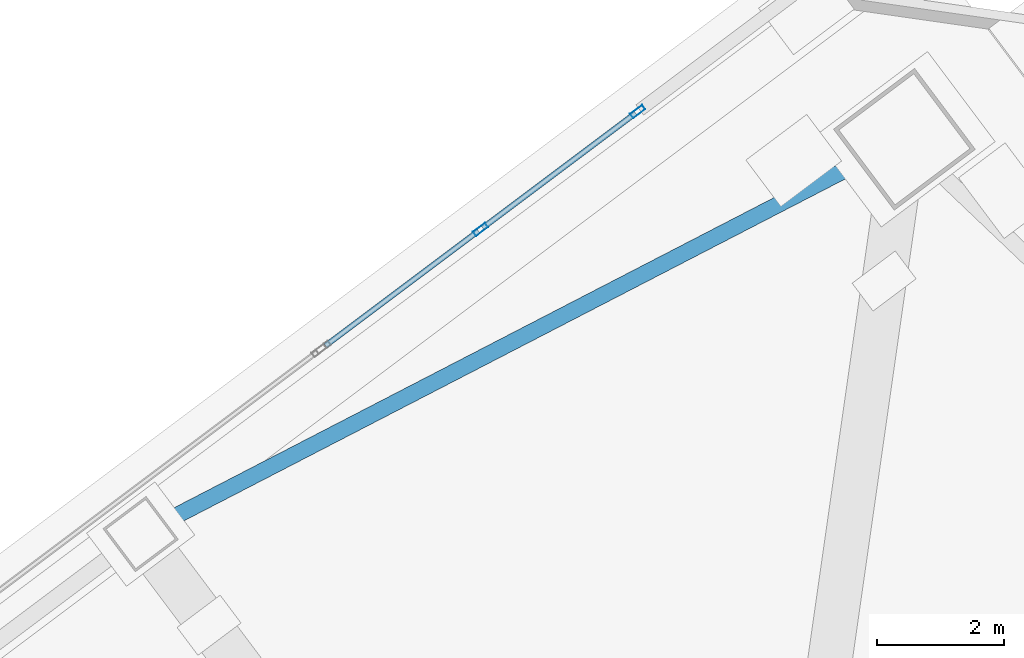
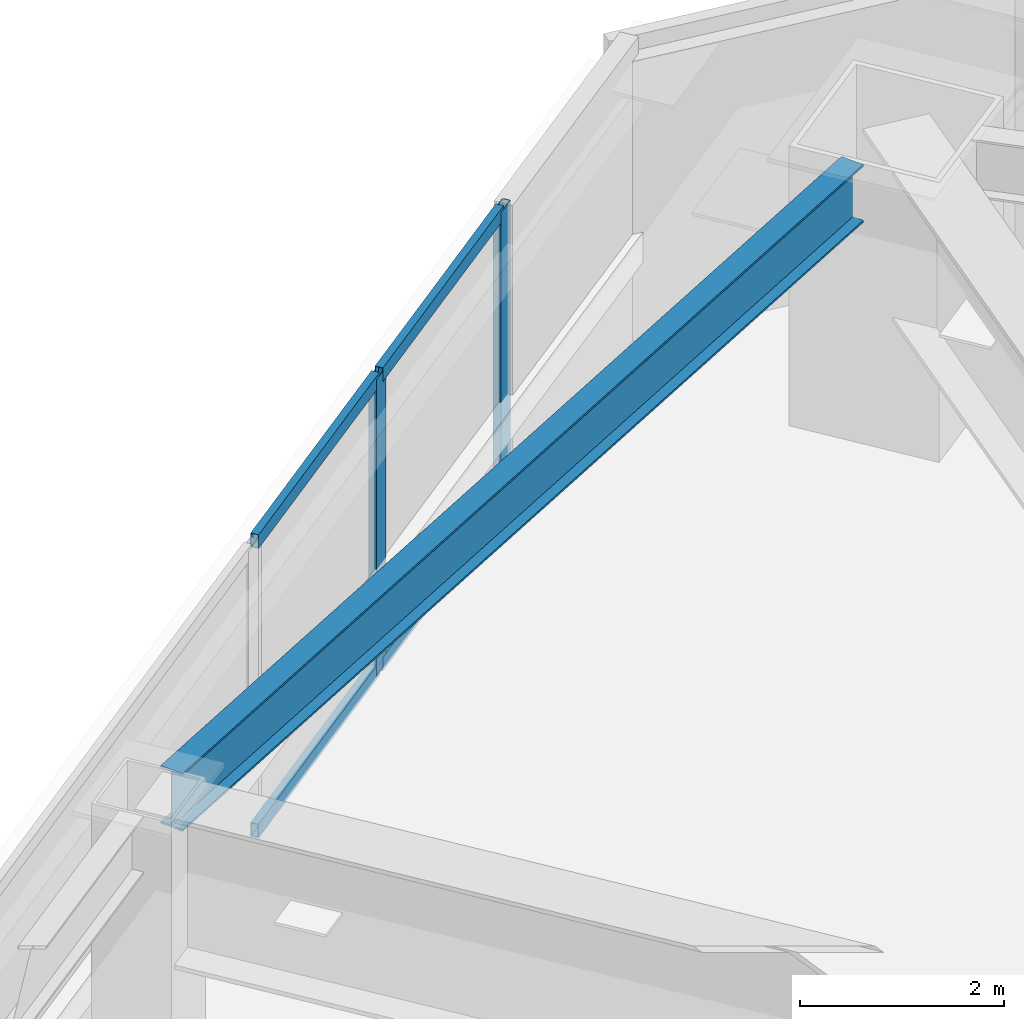
# One storey, part 32 of 48: 6 members, 1 beam, 1 element without a shape of its own.
"""IFC4 building model written with IfcOpenShell, lengths in metres."""

import ifcopenshell
import ifcopenshell.guid

model = None  # the IFC model being written
_history = None  # IfcOwnerHistory: only IFC2X3 demands one
_inside = {}  # id of a spatial element -> (the spatial element, [elements in it])
_under = {}  # id of a project, library or spatial element -> (it, [spatial elements below it])
_declared = {}  # id of a project -> (the project, [libraries it declares])
_typed = {}  # id of a type object -> (the type object, [elements of that type])
_made_of = {}  # id of a material, layer set ... -> (it, [elements and type objects made of it])


def new_model(schema):
    """Start an empty IFC model of exactly this schema.

    Asked for "IFC4X3", IfcOpenShell would pick the latest addendum, in which some entities
    have other attributes; the version numbers below select the first issue.
    IFC2X3 requires an IfcOwnerHistory on every rooted entity: one is made here for all.
    """
    global model, _history
    if schema == "IFC4X3":
        model = ifcopenshell.file(schema_version=(4, 3, 0, 0))
    else:
        model = ifcopenshell.file(schema=schema)
    _inside.clear()
    _under.clear()
    _declared.clear()
    _typed.clear()
    _made_of.clear()
    _history = None
    if model.schema == "IFC2X3":
        org = make("IfcOrganization", Name="unknown")
        user = make(
            "IfcPersonAndOrganization",
            ThePerson=make("IfcPerson", FamilyName="unknown"),
            TheOrganization=org,
        )
        app = make(
            "IfcApplication",
            ApplicationDeveloper=org,
            Version="unknown",
            ApplicationFullName="unknown",
            ApplicationIdentifier="unknown",
        )
        _history = make(
            "IfcOwnerHistory",
            OwningUser=user,
            OwningApplication=app,
            ChangeAction="ADDED",
            CreationDate=0,
        )
    return model


def make(cls, **values):
    """One entity of the class cls with the attributes given. An attribute that is None is left unset."""
    return model.create_entity(
        cls, **{name: value for name, value in values.items() if value is not None}
    )


def rooted(cls, **values):
    """An entity with a GlobalId (a new one), such as an element, a storey or a relation."""
    return make(cls, GlobalId=ifcopenshell.guid.new(), OwnerHistory=_history, **values)


def si_unit(unit_type, name, prefix=None):
    """IfcSIUnit, for example si_unit("LENGTHUNIT", "METRE", prefix="MILLI")."""
    return make("IfcSIUnit", UnitType=unit_type, Prefix=prefix, Name=name)


def assignment(units):
    """IfcUnitAssignment: the units of a project."""
    return None if units is None else make("IfcUnitAssignment", Units=units)


def point(xyz):
    """IfcCartesianPoint."""
    return None if xyz is None else make("IfcCartesianPoint", Coordinates=xyz)


def direction(xyz):
    """IfcDirection."""
    return None if xyz is None else make("IfcDirection", DirectionRatios=xyz)


def frame(location, z_axis=None, x_axis=None):
    """IfcAxis2Placement3D, a coordinate frame: its origin and axes. An axis left out is left unset."""
    return make(
        "IfcAxis2Placement3D",
        Location=point(location),
        Axis=direction(z_axis),
        RefDirection=direction(x_axis),
    )


def frame_2d(location, x_axis=None):
    """IfcAxis2Placement2D, a coordinate frame in the plane: its origin and x axis."""
    return make(
        "IfcAxis2Placement2D", Location=point(location), RefDirection=direction(x_axis)
    )


def origin():
    """The frame at (0, 0, 0) with its axes left unset."""
    return frame((0.0, 0.0, 0.0))


def origin_2d():
    """The frame at (0, 0) in the plane with its x axis left unset."""
    return frame_2d((0.0, 0.0))


def place(relative_to, where):
    """IfcLocalPlacement: puts the frame where relative to a parent placement (None: the world)."""
    return make(
        "IfcLocalPlacement", PlacementRelTo=relative_to, RelativePlacement=where
    )


def context(
    kind, dimensions, precision=None, world=None, true_north=None, identifier=None
):
    """IfcGeometricRepresentationContext, for example the 3D "Model" context."""
    return make(
        "IfcGeometricRepresentationContext",
        ContextIdentifier=identifier,
        ContextType=kind,
        CoordinateSpaceDimension=dimensions,
        Precision=precision,
        WorldCoordinateSystem=world,
        TrueNorth=true_north,
    )


def subcontext(parent, identifier, kind, view, scale=None):
    """IfcGeometricRepresentationSubContext, for example "Body" below "Model"."""
    return make(
        "IfcGeometricRepresentationSubContext",
        ContextIdentifier=identifier,
        ContextType=kind,
        ParentContext=parent,
        TargetScale=scale,
        TargetView=view,
    )


def project(units=None, contexts=None):
    """IfcProject with its units and contexts."""
    return rooted(
        "IfcProject",
        Name="project",
        RepresentationContexts=contexts,
        UnitsInContext=assignment(units),
    )


def spatial(cls, under=None, at=None, **own):
    """A site, building, storey or space (cls), placed at a placement, below another one or the project."""
    s = rooted(cls, ObjectPlacement=at, **own)
    if under is not None:
        _under.setdefault(under.id(), (under, []))[1].append(s)
    return s


def profile(cls, at=None, kind="AREA", **sizes):
    """A parametric profile (cls). Its sizes go by their IFC names, for example OverallWidth=200.0."""
    return make(cls, ProfileType=kind, Position=at, **sizes)


def hollow_rectangle(**sizes):
    """IfcRectangleHollowProfileDef."""
    return profile("IfcRectangleHollowProfileDef", **sizes)


def i_section(**sizes):
    """IfcIShapeProfileDef."""
    return profile("IfcIShapeProfileDef", **sizes)


def extrude(swept, where, along, depth):
    """IfcExtrudedAreaSolid: the profile swept, set in the frame where, extruded along a direction by depth."""
    return make(
        "IfcExtrudedAreaSolid",
        SweptArea=swept,
        Position=where,
        ExtrudedDirection=direction(along),
        Depth=depth,
    )


def shape(context_of_items, identifier, shape_type, items):
    """IfcShapeRepresentation: the items that make up one representation, for example the "Body"."""
    return make(
        "IfcShapeRepresentation",
        ContextOfItems=context_of_items,
        RepresentationIdentifier=identifier,
        RepresentationType=shape_type,
        Items=items,
    )


def material(Name=None, Category=None):
    """IfcMaterial."""
    return make("IfcMaterial", Name=Name, Category=Category)


def material_profile(
    of_material, cross_section, Name=None, Category=None, Priority=None
):
    """IfcMaterialProfile: a cross section and its material."""
    return make(
        "IfcMaterialProfile",
        Name=Name,
        Material=of_material,
        Profile=cross_section,
        Priority=Priority,
        Category=Category,
    )


def profile_set(profiles, Name=None, composite=None):
    """IfcMaterialProfileSet."""
    return make(
        "IfcMaterialProfileSet",
        Name=Name,
        MaterialProfiles=profiles,
        CompositeProfile=composite,
    )


def made_of(thing, what):
    """Note that an element or type object is made of a material, layer set ...; save() writes the relation."""
    if what is not None:
        _made_of.setdefault(what.id(), (what, []))[1].append(thing)
    return thing


def type_object(cls, material=None, **own):
    """A type object (cls), such as IfcWallType, which elements share."""
    return made_of(rooted(cls, **own), material)


def element(
    cls,
    number,
    at=None,
    inside=None,
    cuts=None,
    type_object=None,
    material=None,
    context=None,
    identifier="Body",
    shape_type=None,
    held_by="IfcProductDefinitionShape",
    body=None,
    shapes=None,
    **own,
):
    """One element of the class cls, such as IfcWall. Its Tag is "e" and its number.

    at: its placement. inside: the storey or other place that contains it. cuts: it is an
    opening in that element (IfcRelVoidsElement). A single representation is given by context,
    identifier, shape_type and body (its items); several are given by shapes. held_by: the class
    of the entity that holds the representations. save() writes the other relations.
    """
    e = rooted(cls, Tag="e%d" % number, ObjectPlacement=at, **own)
    if body is not None:
        shapes = [shape(context, identifier, shape_type, body)]
    if shapes is not None:
        e.Representation = make(held_by, Representations=shapes)
    if inside is not None:
        _inside.setdefault(inside.id(), (inside, []))[1].append(e)
    if cuts is not None:
        rooted(
            "IfcRelVoidsElement", RelatingBuildingElement=cuts, RelatedOpeningElement=e
        )
    if type_object is not None:
        _typed.setdefault(type_object.id(), (type_object, []))[1].append(e)
    return made_of(e, material)


def aggregate(whole, parts):
    """IfcRelAggregates: a whole, such as a stair, and the parts it consists of."""
    return rooted("IfcRelAggregates", RelatingObject=whole, RelatedObjects=parts)


def save(model, path):
    """Write the relations noted so far, then the file.

    IfcRelAggregates (storeys below a building ...), IfcRelContainedInSpatialStructure (elements
    in a storey), IfcRelDefinesByType, IfcRelAssociatesMaterial and IfcRelDeclares: one each for
    every whole, place, type object, material and project.
    """
    for whole, parts in _under.values():
        aggregate(whole, parts)
    for where, things in _inside.values():
        rooted(
            "IfcRelContainedInSpatialStructure",
            RelatedElements=things,
            RelatingStructure=where,
        )
    for kind, things in _typed.values():
        rooted("IfcRelDefinesByType", RelatedObjects=things, RelatingType=kind)
    for what, things in _made_of.values():
        rooted("IfcRelAssociatesMaterial", RelatedObjects=things, RelatingMaterial=what)
    for by, libraries in _declared.values():
        rooted("IfcRelDeclares", RelatingContext=by, RelatedDefinitions=libraries)
    model.write(path)


model = new_model("IFC4")

# Units and contexts
model_context = context("Model", 3, precision=1e-05, world=origin(), true_north=direction((0.0, 1.0)))
body_context = subcontext(model_context, "Body", "Model", "MODEL_VIEW")
ifc_project = project(units=[si_unit("LENGTHUNIT", "METRE"), si_unit("AREAUNIT", "SQUARE_METRE"), si_unit("VOLUMEUNIT", "CUBIC_METRE"), si_unit("PLANEANGLEUNIT", "RADIAN"), si_unit("MASSUNIT", "GRAM", prefix="KILO")], contexts=[model_context])

# Site, building, storey
site_placement = place(None, origin())
site = spatial("IfcSite", under=ifc_project, at=site_placement, CompositionType="ELEMENT")
building_placement = place(site_placement, origin())
building = spatial("IfcBuilding", under=site, at=building_placement, Name="Tashvorn Skyway Center", CompositionType="ELEMENT")
storey_placement = place(building_placement, frame((0.0, 0.0, 63.64990234375)))
storey = spatial("IfcBuildingStorey", under=building, at=storey_placement, Name="L16", CompositionType="ELEMENT", Elevation=63.64990234375)

# Beam
ifc_material_1 = material(Name="Steel ASTM A992 Grade 50", Category="steel")
ifc_material_profile_1 = material_profile(ifc_material_1, i_section(OverallWidth=0.256103515625, OverallDepth=0.693115234375, WebThickness=0.014404296875, FlangeThickness=0.023681640625, at=origin_2d()), Name="W27X114")
ifc_profile_set_1 = profile_set([ifc_material_profile_1], Name="Steel ASTM A992 Grade 50")
beam_type = type_object("IfcBeamType", Name="BM-SPANDREL-W27X114", PredefinedType="SPANDREL", material=ifc_profile_set_1)
beam_placement = place(storey_placement, frame((117.0537109375, 57.954833984375, 3.003662109375), z_axis=(-0.888315637339, -0.459233413919, 0.0), x_axis=(0.459233413919, -0.888315637339, 0.0)))
element("IfcBeam", 1, at=beam_placement, inside=storey, type_object=beam_type, Name="Tower 2 L16 Spandrel Beam 07", PredefinedType="SPANDREL", context=body_context, shape_type="SweptSolid", body=[
    extrude(i_section(OverallWidth=0.256103515625, OverallDepth=0.693115234375, WebThickness=0.014404296875, FlangeThickness=0.023681640625, at=origin_2d()), origin(), (0.0, 0.0, 1.0), 12.37255859375),
])

# Curtain wall, members
ifc_material_2 = material(Name="Thermally broken bronze-anodized aluminium 6063-T6", Category="aluminium")
curtain_wall_type = type_object("IfcCurtainWallType", Name="CW-CW-Z1", PredefinedType="NOTDEFINED", material=ifc_material_2)
curtain_wall_placement = place(storey_placement, origin())
curtain_wall = element("IfcCurtainWall", 2, at=curtain_wall_placement, inside=storey, type_object=curtain_wall_type, Name="Tower 2 L16 North Unitised Curtain Wall Glazing Group 3", PredefinedType="NOTDEFINED")
ifc_material_profile_2 = material_profile(ifc_material_2, hollow_rectangle(XDim=0.0849609375, YDim=0.239990234375, WallThickness=0.0048828125, at=origin_2d()), Name="ALU-MULL-85x240")
ifc_profile_set_2 = profile_set([ifc_material_profile_2], Name="Thermally broken bronze-anodized aluminium 6063-T6")
member_type_1 = type_object("IfcMemberType", Name="CWM-CW-Z1", PredefinedType="MULLION", material=ifc_profile_set_2)
member_1_placement = place(storey_placement, frame((111.061279296875, 56.89599609375, 0.0), z_axis=(0.0, 0.0, 1.0), x_axis=(-0.599997457641, 0.800001906763, 0.0)))
member_1 = element("IfcMember", 3, at=member_1_placement, type_object=member_type_1, Name="CW-Z1 mullion 2", PredefinedType="MULLION", context=body_context, shape_type="SweptSolid", body=[
    extrude(hollow_rectangle(XDim=0.0849609375, YDim=0.239990234375, WallThickness=0.0048828125, at=origin_2d()), origin(), (0.0, 0.0, 1.0), 3.550048828125),
])
member_2_placement = place(storey_placement, frame((113.544677734375, 58.758544921875, 0.0), z_axis=(0.0, 0.0, 1.0), x_axis=(-0.599997457641, 0.800001906763, 0.0)))
member_2 = element("IfcMember", 4, at=member_2_placement, type_object=member_type_1, Name="CW-Z1 mullion 3", PredefinedType="MULLION", context=body_context, shape_type="SweptSolid", body=[
    extrude(hollow_rectangle(XDim=0.0849609375, YDim=0.239990234375, WallThickness=0.0048828125, at=origin_2d()), origin(), (0.0, 0.0, 1.0), 3.550048828125),
])
ifc_material_profile_3 = material_profile(ifc_material_2, hollow_rectangle(XDim=0.0849609375, YDim=0.1650390625, WallThickness=0.0048828125, at=origin_2d()), Name="ALU-TRAN-85x165")
ifc_profile_set_3 = profile_set([ifc_material_profile_3], Name="Thermally broken bronze-anodized aluminium 6063-T6")
member_type_2 = type_object("IfcMemberType", Name="CWT-CW-Z1", PredefinedType="USERDEFINED", material=ifc_profile_set_3)
member_3_placement = place(storey_placement, frame((108.612060546875, 55.05908203125, 0.04248046875), z_axis=(0.799990296182, 0.600012938206, 0.0), x_axis=(-0.600012938206, 0.799990296182, 0.0)))
member_3 = element("IfcMember", 5, at=member_3_placement, type_object=member_type_2, Name="CW-Z1 transom 1.1", ObjectType="TRANSOM", PredefinedType="USERDEFINED", context=body_context, shape_type="SweptSolid", body=[
    extrude(hollow_rectangle(XDim=0.0849609375, YDim=0.1650390625, WallThickness=0.0048828125, at=origin_2d()), origin(), (0.0, 0.0, 1.0), 3.01904296875),
])
member_4_placement = place(storey_placement, frame((108.612060546875, 55.05908203125, 3.507568359375), z_axis=(0.799990296182, 0.600012938206, 0.0), x_axis=(-0.600012938206, 0.799990296182, 0.0)))
member_4 = element("IfcMember", 6, at=member_4_placement, type_object=member_type_2, Name="CW-Z1 transom 1.2", ObjectType="TRANSOM", PredefinedType="USERDEFINED", context=body_context, shape_type="SweptSolid", body=[
    extrude(hollow_rectangle(XDim=0.0849609375, YDim=0.1650390625, WallThickness=0.0048828125, at=origin_2d()), origin(), (0.0, 0.0, 1.0), 3.01904296875),
])
member_5_placement = place(storey_placement, frame((111.095458984375, 56.92138671875, 0.04248046875), z_axis=(0.799990296182, 0.600012938206, 0.0), x_axis=(-0.600012938206, 0.799990296182, 0.0)))
member_5 = element("IfcMember", 7, at=member_5_placement, type_object=member_type_2, Name="CW-Z1 transom 2.1", ObjectType="TRANSOM", PredefinedType="USERDEFINED", context=body_context, shape_type="SweptSolid", body=[
    extrude(hollow_rectangle(XDim=0.0849609375, YDim=0.1650390625, WallThickness=0.0048828125, at=origin_2d()), origin(), (0.0, 0.0, 1.0), 3.01904296875),
])
member_6_placement = place(storey_placement, frame((111.095458984375, 56.92138671875, 3.507568359375), z_axis=(0.799990296182, 0.600012938206, 0.0), x_axis=(-0.600012938206, 0.799990296182, 0.0)))
member_6 = element("IfcMember", 8, at=member_6_placement, type_object=member_type_2, Name="CW-Z1 transom 2.2", ObjectType="TRANSOM", PredefinedType="USERDEFINED", context=body_context, shape_type="SweptSolid", body=[
    extrude(hollow_rectangle(XDim=0.0849609375, YDim=0.1650390625, WallThickness=0.0048828125, at=origin_2d()), origin(), (0.0, 0.0, 1.0), 3.01904296875),
])
aggregate(curtain_wall, [member_1, member_2, member_3, member_4, member_5, member_6])

save(model, "model.ifc")
